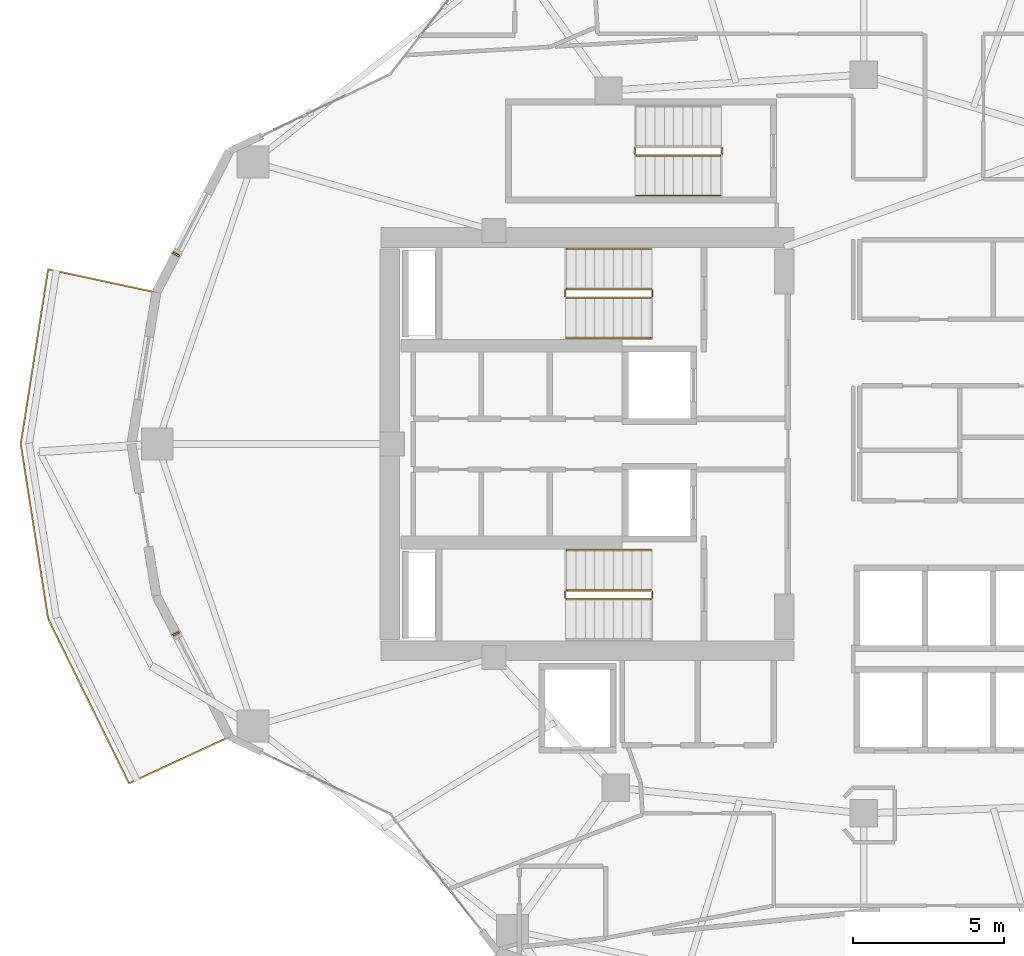
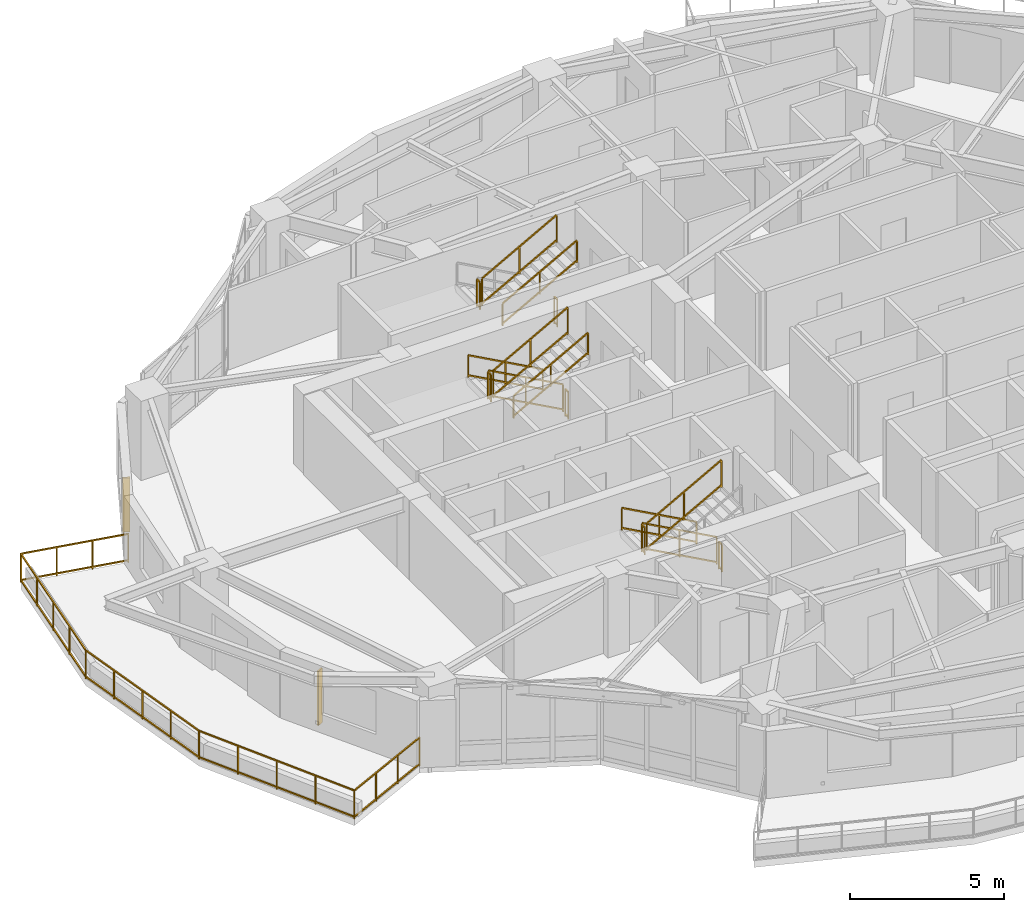
# One storey, part 16 of 18: 16 railings, 2 shading devices.
"""IFC4 building model written with IfcOpenShell, lengths in metres."""

import ifcopenshell
import ifcopenshell.guid

model = None  # the IFC model being written
_history = None  # IfcOwnerHistory: only IFC2X3 demands one
_inside = {}  # id of a spatial element -> (the spatial element, [elements in it])
_under = {}  # id of a project, library or spatial element -> (it, [spatial elements below it])
_declared = {}  # id of a project -> (the project, [libraries it declares])
_typed = {}  # id of a type object -> (the type object, [elements of that type])
_made_of = {}  # id of a material, layer set ... -> (it, [elements and type objects made of it])


def new_model(schema):
    """Start an empty IFC model of exactly this schema.

    Asked for "IFC4X3", IfcOpenShell would pick the latest addendum, in which some entities
    have other attributes; the version numbers below select the first issue.
    IFC2X3 requires an IfcOwnerHistory on every rooted entity: one is made here for all.
    """
    global model, _history
    if schema == "IFC4X3":
        model = ifcopenshell.file(schema_version=(4, 3, 0, 0))
    else:
        model = ifcopenshell.file(schema=schema)
    _inside.clear()
    _under.clear()
    _declared.clear()
    _typed.clear()
    _made_of.clear()
    _history = None
    if model.schema == "IFC2X3":
        org = make("IfcOrganization", Name="unknown")
        user = make(
            "IfcPersonAndOrganization",
            ThePerson=make("IfcPerson", FamilyName="unknown"),
            TheOrganization=org,
        )
        app = make(
            "IfcApplication",
            ApplicationDeveloper=org,
            Version="unknown",
            ApplicationFullName="unknown",
            ApplicationIdentifier="unknown",
        )
        _history = make(
            "IfcOwnerHistory",
            OwningUser=user,
            OwningApplication=app,
            ChangeAction="ADDED",
            CreationDate=0,
        )
    return model


def make(cls, **values):
    """One entity of the class cls with the attributes given. An attribute that is None is left unset."""
    return model.create_entity(
        cls, **{name: value for name, value in values.items() if value is not None}
    )


def rooted(cls, **values):
    """An entity with a GlobalId (a new one), such as an element, a storey or a relation."""
    return make(cls, GlobalId=ifcopenshell.guid.new(), OwnerHistory=_history, **values)


def si_unit(unit_type, name, prefix=None):
    """IfcSIUnit, for example si_unit("LENGTHUNIT", "METRE", prefix="MILLI")."""
    return make("IfcSIUnit", UnitType=unit_type, Prefix=prefix, Name=name)


def assignment(units):
    """IfcUnitAssignment: the units of a project."""
    return None if units is None else make("IfcUnitAssignment", Units=units)


def point(xyz):
    """IfcCartesianPoint."""
    return None if xyz is None else make("IfcCartesianPoint", Coordinates=xyz)


def direction(xyz):
    """IfcDirection."""
    return None if xyz is None else make("IfcDirection", DirectionRatios=xyz)


def frame(location, z_axis=None, x_axis=None):
    """IfcAxis2Placement3D, a coordinate frame: its origin and axes. An axis left out is left unset."""
    return make(
        "IfcAxis2Placement3D",
        Location=point(location),
        Axis=direction(z_axis),
        RefDirection=direction(x_axis),
    )


def frame_2d(location, x_axis=None):
    """IfcAxis2Placement2D, a coordinate frame in the plane: its origin and x axis."""
    return make(
        "IfcAxis2Placement2D", Location=point(location), RefDirection=direction(x_axis)
    )


def origin():
    """The frame at (0, 0, 0) with its axes left unset."""
    return frame((0.0, 0.0, 0.0))


def origin_2d():
    """The frame at (0, 0) in the plane with its x axis left unset."""
    return frame_2d((0.0, 0.0))


def place(relative_to, where):
    """IfcLocalPlacement: puts the frame where relative to a parent placement (None: the world)."""
    return make(
        "IfcLocalPlacement", PlacementRelTo=relative_to, RelativePlacement=where
    )


def context(
    kind, dimensions, precision=None, world=None, true_north=None, identifier=None
):
    """IfcGeometricRepresentationContext, for example the 3D "Model" context."""
    return make(
        "IfcGeometricRepresentationContext",
        ContextIdentifier=identifier,
        ContextType=kind,
        CoordinateSpaceDimension=dimensions,
        Precision=precision,
        WorldCoordinateSystem=world,
        TrueNorth=true_north,
    )


def subcontext(parent, identifier, kind, view, scale=None):
    """IfcGeometricRepresentationSubContext, for example "Body" below "Model"."""
    return make(
        "IfcGeometricRepresentationSubContext",
        ContextIdentifier=identifier,
        ContextType=kind,
        ParentContext=parent,
        TargetScale=scale,
        TargetView=view,
    )


def project(units=None, contexts=None):
    """IfcProject with its units and contexts."""
    return rooted(
        "IfcProject",
        Name="project",
        RepresentationContexts=contexts,
        UnitsInContext=assignment(units),
    )


def spatial(cls, under=None, at=None, **own):
    """A site, building, storey or space (cls), placed at a placement, below another one or the project."""
    s = rooted(cls, ObjectPlacement=at, **own)
    if under is not None:
        _under.setdefault(under.id(), (under, []))[1].append(s)
    return s


def profile(cls, at=None, kind="AREA", **sizes):
    """A parametric profile (cls). Its sizes go by their IFC names, for example OverallWidth=200.0."""
    return make(cls, ProfileType=kind, Position=at, **sizes)


def rectangle(**sizes):
    """IfcRectangleProfileDef."""
    return profile("IfcRectangleProfileDef", **sizes)


def extrude(swept, where, along, depth):
    """IfcExtrudedAreaSolid: the profile swept, set in the frame where, extruded along a direction by depth."""
    return make(
        "IfcExtrudedAreaSolid",
        SweptArea=swept,
        Position=where,
        ExtrudedDirection=direction(along),
        Depth=depth,
    )


def shape(context_of_items, identifier, shape_type, items):
    """IfcShapeRepresentation: the items that make up one representation, for example the "Body"."""
    return make(
        "IfcShapeRepresentation",
        ContextOfItems=context_of_items,
        RepresentationIdentifier=identifier,
        RepresentationType=shape_type,
        Items=items,
    )


def material(Name=None, Category=None):
    """IfcMaterial."""
    return make("IfcMaterial", Name=Name, Category=Category)


def made_of(thing, what):
    """Note that an element or type object is made of a material, layer set ...; save() writes the relation."""
    if what is not None:
        _made_of.setdefault(what.id(), (what, []))[1].append(thing)
    return thing


def type_object(cls, material=None, **own):
    """A type object (cls), such as IfcWallType, which elements share."""
    return made_of(rooted(cls, **own), material)


def element(
    cls,
    number,
    at=None,
    inside=None,
    cuts=None,
    type_object=None,
    material=None,
    context=None,
    identifier="Body",
    shape_type=None,
    held_by="IfcProductDefinitionShape",
    body=None,
    shapes=None,
    **own,
):
    """One element of the class cls, such as IfcWall. Its Tag is "e" and its number.

    at: its placement. inside: the storey or other place that contains it. cuts: it is an
    opening in that element (IfcRelVoidsElement). A single representation is given by context,
    identifier, shape_type and body (its items); several are given by shapes. held_by: the class
    of the entity that holds the representations. save() writes the other relations.
    """
    e = rooted(cls, Tag="e%d" % number, ObjectPlacement=at, **own)
    if body is not None:
        shapes = [shape(context, identifier, shape_type, body)]
    if shapes is not None:
        e.Representation = make(held_by, Representations=shapes)
    if inside is not None:
        _inside.setdefault(inside.id(), (inside, []))[1].append(e)
    if cuts is not None:
        rooted(
            "IfcRelVoidsElement", RelatingBuildingElement=cuts, RelatedOpeningElement=e
        )
    if type_object is not None:
        _typed.setdefault(type_object.id(), (type_object, []))[1].append(e)
    return made_of(e, material)


def aggregate(whole, parts):
    """IfcRelAggregates: a whole, such as a stair, and the parts it consists of."""
    return rooted("IfcRelAggregates", RelatingObject=whole, RelatedObjects=parts)


def save(model, path):
    """Write the relations noted so far, then the file.

    IfcRelAggregates (storeys below a building ...), IfcRelContainedInSpatialStructure (elements
    in a storey), IfcRelDefinesByType, IfcRelAssociatesMaterial and IfcRelDeclares: one each for
    every whole, place, type object, material and project.
    """
    for whole, parts in _under.values():
        aggregate(whole, parts)
    for where, things in _inside.values():
        rooted(
            "IfcRelContainedInSpatialStructure",
            RelatedElements=things,
            RelatingStructure=where,
        )
    for kind, things in _typed.values():
        rooted("IfcRelDefinesByType", RelatedObjects=things, RelatingType=kind)
    for what, things in _made_of.values():
        rooted("IfcRelAssociatesMaterial", RelatedObjects=things, RelatingMaterial=what)
    for by, libraries in _declared.values():
        rooted("IfcRelDeclares", RelatingContext=by, RelatedDefinitions=libraries)
    model.write(path)


model = new_model("IFC4")

# Units and contexts
model_context = context("Model", 3, precision=1e-05, world=origin(), true_north=direction((0.0, 1.0)))
body_context = subcontext(model_context, "Body", "Model", "MODEL_VIEW")
ifc_project = project(units=[si_unit("LENGTHUNIT", "METRE"), si_unit("AREAUNIT", "SQUARE_METRE"), si_unit("VOLUMEUNIT", "CUBIC_METRE"), si_unit("PLANEANGLEUNIT", "RADIAN"), si_unit("MASSUNIT", "GRAM", prefix="KILO")], contexts=[model_context])

# Site, building, storey
site_placement = place(None, origin())
site = spatial("IfcSite", under=ifc_project, at=site_placement, CompositionType="ELEMENT")
building_placement = place(site_placement, origin())
building = spatial("IfcBuilding", under=site, at=building_placement, Name="Kolvaren Gate Tower and Convention Centre", CompositionType="ELEMENT")
storey_placement = place(building_placement, frame((0.0, 0.0, 108.699951171875)))
storey = spatial("IfcBuildingStorey", under=building, at=storey_placement, Name="L26", CompositionType="ELEMENT", Elevation=108.699951171875)

# Railings
ifc_material_1 = material(Name="Brushed Stainless Steel Grade 316L", Category="steel")
railing_type_1 = type_object("IfcRailingType", Name="ARCH-RL-GUARD-1150", PredefinedType="GUARDRAIL", material=ifc_material_1)
railing_1_placement = place(storey_placement, frame((23.10009765625, 32.1298828125, 0.170166015625)))
element("IfcRailing", 1, at=railing_1_placement, inside=storey, type_object=railing_type_1, Name="L26 ST-T1 stair guard 1", PredefinedType="GUARDRAIL", context=body_context, shape_type="SweptSolid", body=[
    extrude(rectangle(XDim=0.048095703125, YDim=0.048095703125, at=origin_2d()), frame((0.0, 0.0, 1.076171875), z_axis=(-0.876843711699, 0.0, 0.480775524808), x_axis=(0.0, -1.0, 0.0)), (0.0, 0.0, 1.0), 3.181884765625),
    extrude(rectangle(XDim=0.048095703125, YDim=0.048095703125, at=origin_2d()), frame((0.0, 0.0, 0.083984375), z_axis=(-0.876843711699, 0.0, 0.480775524808), x_axis=(0.0, -1.0, 0.0)), (0.0, 0.0, 1.0), 3.181884765625),
    extrude(rectangle(XDim=0.0419921875, YDim=0.0419921875, at=origin_2d()), origin(), (0.0, 0.0, 1.0), 1.050048828125),
    extrude(rectangle(XDim=0.0419921875, YDim=0.0419921875, at=origin_2d()), frame((-2.7900390625, 0.0, 1.52978515625)), (0.0, 0.0, 1.0), 1.050048828125),
    extrude(rectangle(XDim=0.0419921875, YDim=0.0419921875, at=origin_2d()), frame((-1.39501953125, 0.0, 0.764892578125)), (0.0, 0.0, 1.0), 1.050048828125),
])
railing_2_placement = place(storey_placement, frame((20.260009765625, 32.080078125, 1.699951171875)))
element("IfcRailing", 2, at=railing_2_placement, inside=storey, type_object=railing_type_1, Name="L26 ST-T1 stair guard 2", PredefinedType="GUARDRAIL", context=body_context, shape_type="SweptSolid", body=[
    extrude(rectangle(XDim=0.048095703125, YDim=0.048095703125, at=origin_2d()), frame((0.0, 0.0, 1.076171875), z_axis=(0.0, -1.0, 0.0), x_axis=(1.0, 0.0, 0.0)), (0.0, 0.0, 1.0), 0.2001953125),
    extrude(rectangle(XDim=0.048095703125, YDim=0.048095703125, at=origin_2d()), frame((0.0, 0.0, 0.083984375), z_axis=(0.0, -1.0, 0.0), x_axis=(1.0, 0.0, 0.0)), (0.0, 0.0, 1.0), 0.2001953125),
    extrude(rectangle(XDim=0.0419921875, YDim=0.0419921875, at=origin_2d()), origin(), (0.0, 0.0, 1.0), 1.050048828125),
    extrude(rectangle(XDim=0.0419921875, YDim=0.0419921875, at=origin_2d()), frame((0.0, -0.2001953125, 0.0)), (0.0, 0.0, 1.0), 1.050048828125),
])
railing_3_placement = place(storey_placement, frame((20.31005859375, 31.830078125, 1.8701171875)))
element("IfcRailing", 3, at=railing_3_placement, inside=storey, type_object=railing_type_1, Name="L26 ST-T1 stair guard 3", PredefinedType="GUARDRAIL", context=body_context, shape_type="SweptSolid", body=[
    extrude(rectangle(XDim=0.048095703125, YDim=0.048095703125, at=origin_2d()), frame((0.0, 0.0, 1.076171875), z_axis=(0.876811365212, 0.0, 0.480834513982), x_axis=(0.0, 1.0, 0.0)), (0.0, 0.0, 1.0), 3.18212890625),
    extrude(rectangle(XDim=0.048095703125, YDim=0.048095703125, at=origin_2d()), frame((0.0, 0.0, 0.083984375), z_axis=(0.876811365212, 0.0, 0.480834513982), x_axis=(0.0, 1.0, 0.0)), (0.0, 0.0, 1.0), 3.18212890625),
    extrude(rectangle(XDim=0.0419921875, YDim=0.0419921875, at=origin_2d()), origin(), (0.0, 0.0, 1.0), 1.050048828125),
    extrude(rectangle(XDim=0.0419921875, YDim=0.0419921875, at=origin_2d()), frame((2.7900390625, 0.0, 1.530029296875)), (0.0, 0.0, 1.0), 1.050048828125),
    extrude(rectangle(XDim=0.0419921875, YDim=0.0419921875, at=origin_2d()), frame((1.39501953125, 0.0, 0.76513671875)), (0.0, 0.0, 1.0), 1.050048828125),
])
railing_4_placement = place(storey_placement, frame((23.14990234375, 32.080078125, 0.0)))
element("IfcRailing", 4, at=railing_4_placement, inside=storey, type_object=railing_type_1, Name="L26 ST-T1 stair guard 4", PredefinedType="GUARDRAIL", context=body_context, shape_type="SweptSolid", body=[
    extrude(rectangle(XDim=0.048095703125, YDim=0.048095703125, at=origin_2d()), frame((0.0, 0.0, 1.076171875), z_axis=(0.0, -1.0, 0.0), x_axis=(1.0, 0.0, 0.0)), (0.0, 0.0, 1.0), 0.2001953125),
    extrude(rectangle(XDim=0.048095703125, YDim=0.048095703125, at=origin_2d()), frame((0.0, 0.0, 0.083984375), z_axis=(0.0, -1.0, 0.0), x_axis=(1.0, 0.0, 0.0)), (0.0, 0.0, 1.0), 0.2001953125),
    extrude(rectangle(XDim=0.0419921875, YDim=0.0419921875, at=origin_2d()), origin(), (0.0, 0.0, 1.0), 1.050048828125),
    extrude(rectangle(XDim=0.0419921875, YDim=0.0419921875, at=origin_2d()), frame((0.0, -0.2001953125, 0.0)), (0.0, 0.0, 1.0), 1.050048828125),
])
railing_5_placement = place(storey_placement, frame((23.10009765625, 22.169921875, 0.170166015625)))
element("IfcRailing", 5, at=railing_5_placement, inside=storey, type_object=railing_type_1, Name="L26 ST-T2 stair guard 1", PredefinedType="GUARDRAIL", context=body_context, shape_type="SweptSolid", body=[
    extrude(rectangle(XDim=0.048095703125, YDim=0.048095703125, at=origin_2d()), frame((0.0, 0.0, 1.076171875), z_axis=(-0.876843711699, 0.0, 0.480775524808), x_axis=(0.0, -1.0, 0.0)), (0.0, 0.0, 1.0), 3.181884765625),
    extrude(rectangle(XDim=0.048095703125, YDim=0.048095703125, at=origin_2d()), frame((0.0, 0.0, 0.083984375), z_axis=(-0.876843711699, 0.0, 0.480775524808), x_axis=(0.0, -1.0, 0.0)), (0.0, 0.0, 1.0), 3.181884765625),
    extrude(rectangle(XDim=0.0419921875, YDim=0.0419921875, at=origin_2d()), origin(), (0.0, 0.0, 1.0), 1.050048828125),
    extrude(rectangle(XDim=0.0419921875, YDim=0.0419921875, at=origin_2d()), frame((-2.7900390625, 0.0, 1.52978515625)), (0.0, 0.0, 1.0), 1.050048828125),
    extrude(rectangle(XDim=0.0419921875, YDim=0.0419921875, at=origin_2d()), frame((-1.39501953125, 0.0, 0.764892578125)), (0.0, 0.0, 1.0), 1.050048828125),
])
railing_6_placement = place(storey_placement, frame((20.260009765625, 22.1201171875, 1.699951171875)))
element("IfcRailing", 6, at=railing_6_placement, inside=storey, type_object=railing_type_1, Name="L26 ST-T2 stair guard 2", PredefinedType="GUARDRAIL", context=body_context, shape_type="SweptSolid", body=[
    extrude(rectangle(XDim=0.048095703125, YDim=0.048095703125, at=origin_2d()), frame((0.0, 0.0, 1.076171875), z_axis=(0.0, -1.0, 0.0), x_axis=(1.0, 0.0, 0.0)), (0.0, 0.0, 1.0), 0.2001953125),
    extrude(rectangle(XDim=0.048095703125, YDim=0.048095703125, at=origin_2d()), frame((0.0, 0.0, 0.083984375), z_axis=(0.0, -1.0, 0.0), x_axis=(1.0, 0.0, 0.0)), (0.0, 0.0, 1.0), 0.2001953125),
    extrude(rectangle(XDim=0.0419921875, YDim=0.0419921875, at=origin_2d()), origin(), (0.0, 0.0, 1.0), 1.050048828125),
    extrude(rectangle(XDim=0.0419921875, YDim=0.0419921875, at=origin_2d()), frame((0.0, -0.2001953125, 0.0)), (0.0, 0.0, 1.0), 1.050048828125),
])
railing_7_placement = place(storey_placement, frame((20.31005859375, 21.8701171875, 1.8701171875)))
element("IfcRailing", 7, at=railing_7_placement, inside=storey, type_object=railing_type_1, Name="L26 ST-T2 stair guard 3", PredefinedType="GUARDRAIL", context=body_context, shape_type="SweptSolid", body=[
    extrude(rectangle(XDim=0.048095703125, YDim=0.048095703125, at=origin_2d()), frame((0.0, 0.0, 1.076171875), z_axis=(0.876811365212, 0.0, 0.480834513982), x_axis=(0.0, 1.0, 0.0)), (0.0, 0.0, 1.0), 3.18212890625),
    extrude(rectangle(XDim=0.048095703125, YDim=0.048095703125, at=origin_2d()), frame((0.0, 0.0, 0.083984375), z_axis=(0.876811365212, 0.0, 0.480834513982), x_axis=(0.0, 1.0, 0.0)), (0.0, 0.0, 1.0), 3.18212890625),
    extrude(rectangle(XDim=0.0419921875, YDim=0.0419921875, at=origin_2d()), origin(), (0.0, 0.0, 1.0), 1.050048828125),
    extrude(rectangle(XDim=0.0419921875, YDim=0.0419921875, at=origin_2d()), frame((2.7900390625, 0.0, 1.530029296875)), (0.0, 0.0, 1.0), 1.050048828125),
    extrude(rectangle(XDim=0.0419921875, YDim=0.0419921875, at=origin_2d()), frame((1.39501953125, 0.0, 0.76513671875)), (0.0, 0.0, 1.0), 1.050048828125),
])
railing_8_placement = place(storey_placement, frame((23.14990234375, 22.1201171875, 0.0)))
element("IfcRailing", 8, at=railing_8_placement, inside=storey, type_object=railing_type_1, Name="L26 ST-T2 stair guard 4", PredefinedType="GUARDRAIL", context=body_context, shape_type="SweptSolid", body=[
    extrude(rectangle(XDim=0.048095703125, YDim=0.048095703125, at=origin_2d()), frame((0.0, 0.0, 1.076171875), z_axis=(0.0, -1.0, 0.0), x_axis=(1.0, 0.0, 0.0)), (0.0, 0.0, 1.0), 0.2001953125),
    extrude(rectangle(XDim=0.048095703125, YDim=0.048095703125, at=origin_2d()), frame((0.0, 0.0, 0.083984375), z_axis=(0.0, -1.0, 0.0), x_axis=(1.0, 0.0, 0.0)), (0.0, 0.0, 1.0), 0.2001953125),
    extrude(rectangle(XDim=0.0419921875, YDim=0.0419921875, at=origin_2d()), origin(), (0.0, 0.0, 1.0), 1.050048828125),
    extrude(rectangle(XDim=0.0419921875, YDim=0.0419921875, at=origin_2d()), frame((0.0, -0.2001953125, 0.0)), (0.0, 0.0, 1.0), 1.050048828125),
])
railing_9_placement = place(storey_placement, frame((22.56005859375, 36.780029296875, 1.699951171875)))
element("IfcRailing", 9, at=railing_9_placement, inside=storey, type_object=railing_type_1, Name="L26 ST-T3 stair guard 2", PredefinedType="GUARDRAIL", context=body_context, shape_type="SweptSolid", body=[
    extrude(rectangle(XDim=0.048095703125, YDim=0.048095703125, at=origin_2d()), frame((0.0, 0.0, 1.076171875), z_axis=(0.0, -1.0, 0.0), x_axis=(1.0, 0.0, 0.0)), (0.0, 0.0, 1.0), 0.199951171875),
    extrude(rectangle(XDim=0.048095703125, YDim=0.048095703125, at=origin_2d()), frame((0.0, 0.0, 0.083984375), z_axis=(0.0, -1.0, 0.0), x_axis=(1.0, 0.0, 0.0)), (0.0, 0.0, 1.0), 0.199951171875),
    extrude(rectangle(XDim=0.0419921875, YDim=0.0419921875, at=origin_2d()), origin(), (0.0, 0.0, 1.0), 1.050048828125),
    extrude(rectangle(XDim=0.0419921875, YDim=0.0419921875, at=origin_2d()), frame((0.0, -0.199951171875, 0.0)), (0.0, 0.0, 1.0), 1.050048828125),
])
railing_10_placement = place(storey_placement, frame((22.610107421875, 36.530029296875, 1.8701171875)))
element("IfcRailing", 10, at=railing_10_placement, inside=storey, type_object=railing_type_1, Name="L26 ST-T3 stair guard 3", PredefinedType="GUARDRAIL", context=body_context, shape_type="SweptSolid", body=[
    extrude(rectangle(XDim=0.048095703125, YDim=0.048095703125, at=origin_2d()), frame((0.0, 0.0, 1.076171875), z_axis=(0.8767936245, 0.0, 0.480866863109), x_axis=(0.0, 1.0, 0.0)), (0.0, 0.0, 1.0), 3.181884765625),
    extrude(rectangle(XDim=0.048095703125, YDim=0.048095703125, at=origin_2d()), frame((0.0, 0.0, 0.083984375), z_axis=(0.8767936245, 0.0, 0.480866863109), x_axis=(0.0, 1.0, 0.0)), (0.0, 0.0, 1.0), 3.181884765625),
    extrude(rectangle(XDim=0.0419921875, YDim=0.0419921875, at=origin_2d()), origin(), (0.0, 0.0, 1.0), 1.050048828125),
    extrude(rectangle(XDim=0.0419921875, YDim=0.0419921875, at=origin_2d()), frame((2.789794921875, 0.0, 1.530029296875)), (0.0, 0.0, 1.0), 1.050048828125),
    extrude(rectangle(XDim=0.0419921875, YDim=0.0419921875, at=origin_2d()), frame((1.39501953125, 0.0, 0.76513671875)), (0.0, 0.0, 1.0), 1.050048828125),
])
railing_11_placement = place(storey_placement, frame((25.449951171875, 36.780029296875, 0.0)))
element("IfcRailing", 11, at=railing_11_placement, inside=storey, type_object=railing_type_1, Name="L26 ST-T3 stair guard 4", PredefinedType="GUARDRAIL", context=body_context, shape_type="SweptSolid", body=[
    extrude(rectangle(XDim=0.048095703125, YDim=0.048095703125, at=origin_2d()), frame((0.0, 0.0, 1.076171875), z_axis=(0.0, -1.0, 0.0), x_axis=(1.0, 0.0, 0.0)), (0.0, 0.0, 1.0), 0.199951171875),
    extrude(rectangle(XDim=0.048095703125, YDim=0.048095703125, at=origin_2d()), frame((0.0, 0.0, 0.083984375), z_axis=(0.0, -1.0, 0.0), x_axis=(1.0, 0.0, 0.0)), (0.0, 0.0, 1.0), 0.199951171875),
    extrude(rectangle(XDim=0.0419921875, YDim=0.0419921875, at=origin_2d()), origin(), (0.0, 0.0, 1.0), 1.050048828125),
    extrude(rectangle(XDim=0.0419921875, YDim=0.0419921875, at=origin_2d()), frame((0.0, -0.199951171875, 0.0)), (0.0, 0.0, 1.0), 1.050048828125),
])
railing_12_placement = place(storey_placement, frame((6.76171875, 32.008056640625, 0.0)))
element("IfcRailing", 12, at=railing_12_placement, inside=storey, type_object=railing_type_1, Name="Tower L26 Terrace Perimeter Guardrail GR-2", PredefinedType="GUARDRAIL", context=body_context, shape_type="SweptSolid", body=[
    extrude(rectangle(XDim=0.048095703125, YDim=0.048095703125, at=origin_2d()), frame((-0.02734375, 0.005859375, 1.1259765625), z_axis=(-0.977788745232, 0.209592866525, 0.0), x_axis=(-0.209592866525, -0.977788745232, 0.0)), (0.0, 0.0, 1.0), 3.603759765625),
    extrude(rectangle(XDim=0.048095703125, YDim=0.048095703125, at=origin_2d()), frame((-0.02734375, 0.005859375, 0.083984375), z_axis=(-0.977788745232, 0.209592866525, 0.0), x_axis=(-0.209592866525, -0.977788745232, 0.0)), (0.0, 0.0, 1.0), 3.603759765625),
    extrude(rectangle(XDim=0.048095703125, YDim=0.048095703125, at=origin_2d()), frame((-3.5830078125, 0.739501953125, 1.1259765625), z_axis=(-0.154903030247, -0.987929679289, 0.0), x_axis=(0.987929679289, -0.154903030247, 0.0)), (0.0, 0.0, 1.0), 5.78955078125),
    extrude(rectangle(XDim=0.048095703125, YDim=0.048095703125, at=origin_2d()), frame((-3.5830078125, 0.739501953125, 0.083984375), z_axis=(-0.154903030247, -0.987929679289, 0.0), x_axis=(0.987929679289, -0.154903030247, 0.0)), (0.0, 0.0, 1.0), 5.78955078125),
    extrude(rectangle(XDim=0.048095703125, YDim=0.048095703125, at=origin_2d()), frame((-4.479736328125, -5.03564453125, 1.1259765625), z_axis=(0.154903030247, -0.987929679289, 0.0), x_axis=(0.987929679289, 0.154903030247, 0.0)), (0.0, 0.0, 1.0), 5.78955078125),
    extrude(rectangle(XDim=0.048095703125, YDim=0.048095703125, at=origin_2d()), frame((-4.479736328125, -5.03564453125, 0.083984375), z_axis=(0.154903030247, -0.987929679289, 0.0), x_axis=(0.987929679289, 0.154903030247, 0.0)), (0.0, 0.0, 1.0), 5.78955078125),
    extrude(rectangle(XDim=0.048095703125, YDim=0.048095703125, at=origin_2d()), frame((-3.566162109375, -10.808349609375, 1.1259765625), z_axis=(0.441237167293, -0.897390529368, 0.0), x_axis=(0.897390529368, 0.441237167293, 0.0)), (0.0, 0.0, 1.0), 5.999755859375),
    extrude(rectangle(XDim=0.048095703125, YDim=0.048095703125, at=origin_2d()), frame((-3.566162109375, -10.808349609375, 0.083984375), z_axis=(0.441237167293, -0.897390529368, 0.0), x_axis=(0.897390529368, 0.441237167293, 0.0)), (0.0, 0.0, 1.0), 5.999755859375),
    extrude(rectangle(XDim=0.048095703125, YDim=0.048095703125, at=origin_2d()), frame((-0.881103515625, -16.2060546875, 1.1259765625), z_axis=(0.907846116663, 0.419303503993, 0.0), x_axis=(-0.419303503993, 0.907846116663, 0.0)), (0.0, 0.0, 1.0), 3.60400390625),
    extrude(rectangle(XDim=0.048095703125, YDim=0.048095703125, at=origin_2d()), frame((-0.881103515625, -16.2060546875, 0.083984375), z_axis=(0.907846116663, 0.419303503993, 0.0), x_axis=(-0.419303503993, 0.907846116663, 0.0)), (0.0, 0.0, 1.0), 3.60400390625),
    extrude(rectangle(XDim=0.0419921875, YDim=0.0419921875, at=origin_2d()), origin(), (0.0, 0.0, 1.0), 1.14990234375),
    extrude(rectangle(XDim=0.0419921875, YDim=0.0419921875, at=origin_2d()), frame((-3.57861328125, 0.76708984375, 0.0)), (0.0, 0.0, 1.0), 1.14990234375),
    extrude(rectangle(XDim=0.0419921875, YDim=0.0419921875, at=origin_2d()), frame((-1.19287109375, 0.255615234375, 0.0)), (0.0, 0.0, 1.0), 1.099853515625),
    extrude(rectangle(XDim=0.0419921875, YDim=0.0419921875, at=origin_2d()), frame((-2.3857421875, 0.511474609375, 0.0)), (0.0, 0.0, 1.0), 1.099853515625),
    extrude(rectangle(XDim=0.0419921875, YDim=0.0419921875, at=origin_2d()), frame((-4.484130859375, -5.008056640625, 0.0)), (0.0, 0.0, 1.0), 1.14990234375),
    extrude(rectangle(XDim=0.0419921875, YDim=0.0419921875, at=origin_2d()), frame((-3.804931640625, -0.6767578125, 0.0)), (0.0, 0.0, 1.0), 1.099853515625),
    extrude(rectangle(XDim=0.0419921875, YDim=0.0419921875, at=origin_2d()), frame((-4.03125, -2.12060546875, 0.0)), (0.0, 0.0, 1.0), 1.099853515625),
    extrude(rectangle(XDim=0.0419921875, YDim=0.0419921875, at=origin_2d()), frame((-4.2578125, -3.564208984375, 0.0)), (0.0, 0.0, 1.0), 1.099853515625),
    extrude(rectangle(XDim=0.0419921875, YDim=0.0419921875, at=origin_2d()), frame((-3.57861328125, -10.783203125, 0.0)), (0.0, 0.0, 1.0), 1.14990234375),
    extrude(rectangle(XDim=0.0419921875, YDim=0.0419921875, at=origin_2d()), frame((-4.2578125, -6.451904296875, 0.0)), (0.0, 0.0, 1.0), 1.099853515625),
    extrude(rectangle(XDim=0.0419921875, YDim=0.0419921875, at=origin_2d()), frame((-4.03125, -7.8955078125, 0.0)), (0.0, 0.0, 1.0), 1.099853515625),
    extrude(rectangle(XDim=0.0419921875, YDim=0.0419921875, at=origin_2d()), frame((-3.804931640625, -9.33935546875, 0.0)), (0.0, 0.0, 1.0), 1.099853515625),
    extrude(rectangle(XDim=0.0419921875, YDim=0.0419921875, at=origin_2d()), frame((-0.906494140625, -16.2177734375, 0.0)), (0.0, 0.0, 1.0), 1.14990234375),
    extrude(rectangle(XDim=0.0419921875, YDim=0.0419921875, at=origin_2d()), frame((-2.91064453125, -12.141845703125, 0.0)), (0.0, 0.0, 1.0), 1.099853515625),
    extrude(rectangle(XDim=0.0419921875, YDim=0.0419921875, at=origin_2d()), frame((-2.24267578125, -13.50048828125, 0.0)), (0.0, 0.0, 1.0), 1.099853515625),
    extrude(rectangle(XDim=0.0419921875, YDim=0.0419921875, at=origin_2d()), frame((-1.574462890625, -14.859130859375, 0.0)), (0.0, 0.0, 1.0), 1.099853515625),
    extrude(rectangle(XDim=0.0419921875, YDim=0.0419921875, at=origin_2d()), frame((2.416259765625, -14.68310546875, 0.0)), (0.0, 0.0, 1.0), 1.14990234375),
    extrude(rectangle(XDim=0.0419921875, YDim=0.0419921875, at=origin_2d()), frame((0.201171875, -15.706298828125, 0.0)), (0.0, 0.0, 1.0), 1.099853515625),
    extrude(rectangle(XDim=0.0419921875, YDim=0.0419921875, at=origin_2d()), frame((1.30859375, -15.194580078125, 0.0)), (0.0, 0.0, 1.0), 1.099853515625),
])
railing_type_2 = type_object("IfcRailingType", Name="ARCH-RL-HANDRAIL-920", PredefinedType="HANDRAIL", material=ifc_material_1)
railing_13_placement = place(storey_placement, frame((23.10009765625, 33.449951171875, 0.170166015625)))
element("IfcRailing", 13, at=railing_13_placement, inside=storey, type_object=railing_type_2, Name="L26 ST-T1 stair handrail 1", PredefinedType="HANDRAIL", context=body_context, shape_type="SweptSolid", body=[
    extrude(rectangle(XDim=0.048095703125, YDim=0.048095703125, at=origin_2d()), frame((0.0, 0.0, 0.8759765625), z_axis=(-0.876843711699, 0.0, 0.480775524808), x_axis=(0.0, -1.0, 0.0)), (0.0, 0.0, 1.0), 3.181884765625),
    extrude(rectangle(XDim=0.048095703125, YDim=0.048095703125, at=origin_2d()), frame((0.0, 0.0, 0.083984375), z_axis=(-0.876843711699, 0.0, 0.480775524808), x_axis=(0.0, -1.0, 0.0)), (0.0, 0.0, 1.0), 3.181884765625),
    extrude(rectangle(XDim=0.0419921875, YDim=0.0419921875, at=origin_2d()), origin(), (0.0, 0.0, 1.0), 0.849853515625),
    extrude(rectangle(XDim=0.0419921875, YDim=0.0419921875, at=origin_2d()), frame((-2.7900390625, 0.0, 1.52978515625)), (0.0, 0.0, 1.0), 0.849853515625),
    extrude(rectangle(XDim=0.0419921875, YDim=0.0419921875, at=origin_2d()), frame((-1.39501953125, 0.0, 0.764892578125)), (0.0, 0.0, 1.0), 0.849853515625),
])
railing_14_placement = place(storey_placement, frame((20.31005859375, 30.510009765625, 1.8701171875)))
element("IfcRailing", 14, at=railing_14_placement, inside=storey, type_object=railing_type_2, Name="L26 ST-T1 stair handrail 2", PredefinedType="HANDRAIL", context=body_context, shape_type="SweptSolid", body=[
    extrude(rectangle(XDim=0.048095703125, YDim=0.048095703125, at=origin_2d()), frame((0.0, 0.0, 0.8759765625), z_axis=(0.876811365212, 0.0, 0.480834513982), x_axis=(0.0, 1.0, 0.0)), (0.0, 0.0, 1.0), 3.18212890625),
    extrude(rectangle(XDim=0.048095703125, YDim=0.048095703125, at=origin_2d()), frame((0.0, 0.0, 0.083984375), z_axis=(0.876811365212, 0.0, 0.480834513982), x_axis=(0.0, 1.0, 0.0)), (0.0, 0.0, 1.0), 3.18212890625),
    extrude(rectangle(XDim=0.0419921875, YDim=0.0419921875, at=origin_2d()), origin(), (0.0, 0.0, 1.0), 0.849853515625),
    extrude(rectangle(XDim=0.0419921875, YDim=0.0419921875, at=origin_2d()), frame((2.7900390625, 0.0, 1.530029296875)), (0.0, 0.0, 1.0), 0.849853515625),
    extrude(rectangle(XDim=0.0419921875, YDim=0.0419921875, at=origin_2d()), frame((1.39501953125, 0.0, 0.76513671875)), (0.0, 0.0, 1.0), 0.849853515625),
])
railing_15_placement = place(storey_placement, frame((23.10009765625, 23.489990234375, 0.170166015625)))
element("IfcRailing", 15, at=railing_15_placement, inside=storey, type_object=railing_type_2, Name="L26 ST-T2 stair handrail 1", PredefinedType="HANDRAIL", context=body_context, shape_type="SweptSolid", body=[
    extrude(rectangle(XDim=0.048095703125, YDim=0.048095703125, at=origin_2d()), frame((0.0, 0.0, 0.8759765625), z_axis=(-0.876843711699, 0.0, 0.480775524808), x_axis=(0.0, -1.0, 0.0)), (0.0, 0.0, 1.0), 3.181884765625),
    extrude(rectangle(XDim=0.048095703125, YDim=0.048095703125, at=origin_2d()), frame((0.0, 0.0, 0.083984375), z_axis=(-0.876843711699, 0.0, 0.480775524808), x_axis=(0.0, -1.0, 0.0)), (0.0, 0.0, 1.0), 3.181884765625),
    extrude(rectangle(XDim=0.0419921875, YDim=0.0419921875, at=origin_2d()), origin(), (0.0, 0.0, 1.0), 0.849853515625),
    extrude(rectangle(XDim=0.0419921875, YDim=0.0419921875, at=origin_2d()), frame((-2.7900390625, 0.0, 1.52978515625)), (0.0, 0.0, 1.0), 0.849853515625),
    extrude(rectangle(XDim=0.0419921875, YDim=0.0419921875, at=origin_2d()), frame((-1.39501953125, 0.0, 0.764892578125)), (0.0, 0.0, 1.0), 0.849853515625),
])
railing_16_placement = place(storey_placement, frame((22.610107421875, 35.2099609375, 1.8701171875)))
element("IfcRailing", 16, at=railing_16_placement, inside=storey, type_object=railing_type_2, Name="L26 ST-T3 stair handrail 2", PredefinedType="HANDRAIL", context=body_context, shape_type="SweptSolid", body=[
    extrude(rectangle(XDim=0.048095703125, YDim=0.048095703125, at=origin_2d()), frame((0.0, 0.0, 0.8759765625), z_axis=(0.8767936245, 0.0, 0.480866863109), x_axis=(0.0, 1.0, 0.0)), (0.0, 0.0, 1.0), 3.181884765625),
    extrude(rectangle(XDim=0.048095703125, YDim=0.048095703125, at=origin_2d()), frame((0.0, 0.0, 0.083984375), z_axis=(0.8767936245, 0.0, 0.480866863109), x_axis=(0.0, 1.0, 0.0)), (0.0, 0.0, 1.0), 3.181884765625),
    extrude(rectangle(XDim=0.0419921875, YDim=0.0419921875, at=origin_2d()), origin(), (0.0, 0.0, 1.0), 0.849853515625),
    extrude(rectangle(XDim=0.0419921875, YDim=0.0419921875, at=origin_2d()), frame((2.789794921875, 0.0, 1.530029296875)), (0.0, 0.0, 1.0), 0.849853515625),
    extrude(rectangle(XDim=0.0419921875, YDim=0.0419921875, at=origin_2d()), frame((1.39501953125, 0.0, 0.76513671875)), (0.0, 0.0, 1.0), 0.849853515625),
])

# Shading devices
ifc_material_2 = material(Name="Kiln-Fired Bogota Terracotta Ceramic Louvre Profile", Category="masonry")
shading_device_type = type_object("IfcShadingDeviceType", Name="ARCH-SHD-FIN-180", PredefinedType="JALOUSIE", material=ifc_material_2)
for number, where, z_axis, x_axis, name in (
    (17, (7.413818359375, 33.267333984375, 0.22021484375), (0.0, 0.0, 1.0), (0.459781360558, 0.888032150591, 0.0), "Ceramic Vertical Brise-Soleil Fin FN-L26-10"),
    (18, (7.413818359375, 20.732666015625, 0.22021484375), (0.0, 0.0, 1.0), (0.459781360558, -0.888032150591, 0.0), "Ceramic Vertical Brise-Soleil Fin FN-L26-13"),
):
    element("IfcShadingDevice", number, at=place(storey_placement, frame(where, z_axis=z_axis, x_axis=x_axis)), inside=storey, type_object=shading_device_type, Name=name, PredefinedType="JALOUSIE", context=body_context, shape_type="SweptSolid", body=[
        extrude(rectangle(XDim=0.06005859375, YDim=0.239990234375, at=origin_2d()), origin(), (0.0, 0.0, 1.0), 2.14990234375),
    ])

save(model, "model.ifc")
